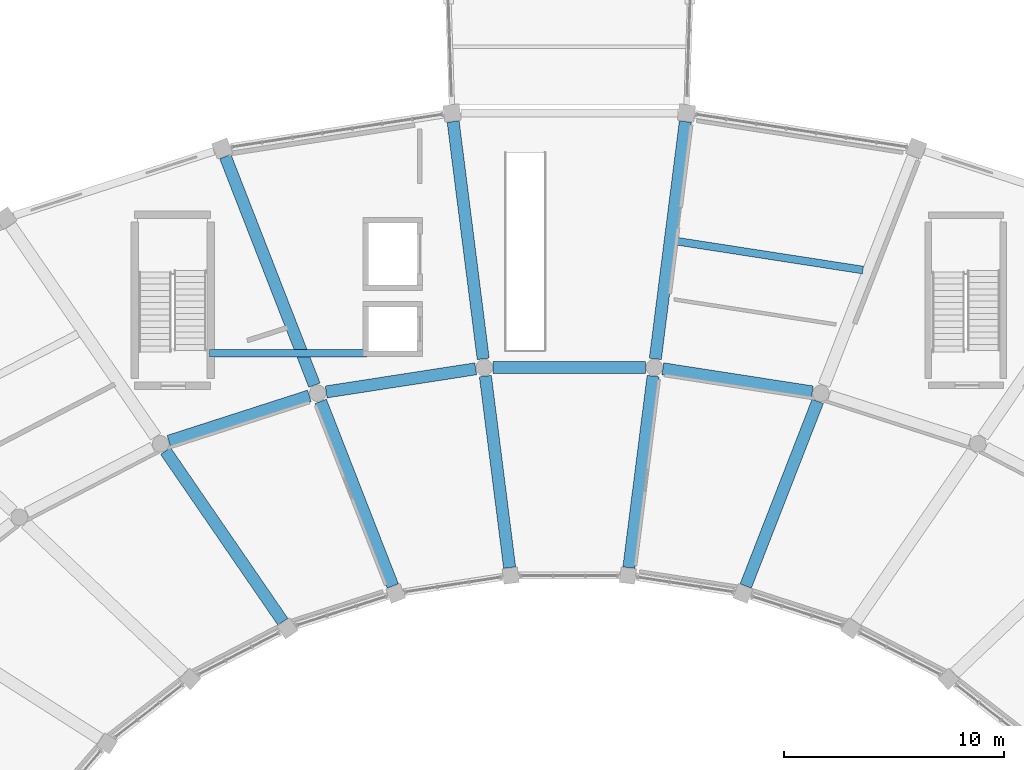
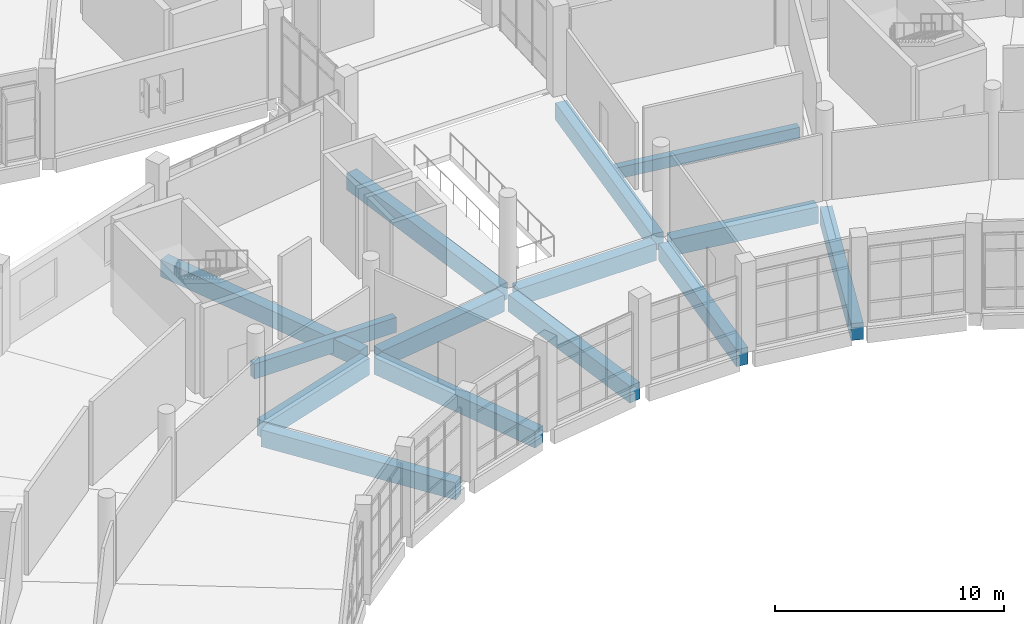
# One storey, part 28 of 179: 14 beams.
"""IFC4 building model written with IfcOpenShell, lengths in metres."""

from ifc_helpers import new_model, si_unit, direction, frame, origin, origin_2d, place, context, subcontext, project, spatial, rectangle, extrude, material, material_profile, profile_set, type_object, element, save


model = new_model("IFC4")

# Units and contexts
model_context = context("Model", 3, precision=1e-05, world=origin(), true_north=direction((0.0, 1.0)))
body_context = subcontext(model_context, "Body", "Model", "MODEL_VIEW")
ifc_project = project(units=[si_unit("LENGTHUNIT", "METRE"), si_unit("AREAUNIT", "SQUARE_METRE"), si_unit("VOLUMEUNIT", "CUBIC_METRE"), si_unit("PLANEANGLEUNIT", "RADIAN"), si_unit("MASSUNIT", "GRAM", prefix="KILO")], contexts=[model_context])

# Site, building, storey
site_placement = place(None, origin())
site = spatial("IfcSite", under=ifc_project, at=site_placement, CompositionType="ELEMENT")
building_placement = place(site_placement, origin())
building = spatial("IfcBuilding", under=site, at=building_placement, Name="Corvandel Quay Wholesale Market", CompositionType="ELEMENT")
storey_placement = place(building_placement, frame((0.0, 0.0, 6.0)))
storey = spatial("IfcBuildingStorey", under=building, at=storey_placement, Name="L01", CompositionType="ELEMENT", Elevation=6.0)

# Beams
ifc_material_1 = material(Name="Concrete C40/50", Category="concrete")
ifc_material_profile_1 = material_profile(ifc_material_1, rectangle(XDim=0.35009765625, YDim=0.800048828125, at=origin_2d()), Name="RC-CPL-350x800")
ifc_profile_set_1 = profile_set([ifc_material_profile_1], Name="Concrete C40/50")
beam_type_1 = type_object("IfcBeamType", Name="Core Shear Wall Coupling Beam CP01 350x800", PredefinedType="BEAM", material=ifc_profile_set_1)
beam_1_placement = place(storey_placement, frame((97.675048828125, 73.10009765625, -0.64990234375), z_axis=(1.0, 0.0, 0.0), x_axis=(0.0, 1.0, 0.0)))
element("IfcBeam", 1, at=beam_1_placement, inside=storey, type_object=beam_type_1, Name="Core Coupling Beam K1-L01", PredefinedType="BEAM", context=body_context, shape_type="SweptSolid", body=[
    extrude(rectangle(XDim=0.35009765625, YDim=0.800048828125, at=origin_2d()), origin(), (0.0, 0.0, 1.0), 7.14990234375),
])
ifc_material_2 = material(Name="Precast concrete C45/55", Category="concrete")
ifc_material_profile_2 = material_profile(ifc_material_2, rectangle(XDim=0.550048828125, YDim=0.89990234375, at=origin_2d()), Name="PC-GIR-550x900")
ifc_profile_set_2 = profile_set([ifc_material_profile_2], Name="Precast concrete C45/55")
beam_type_2 = type_object("IfcBeamType", Name="Produce Hall Radial Girder G03 550x900", PredefinedType="USERDEFINED", material=ifc_profile_set_2)
beam_2_placement = place(storey_placement, frame((125.029541015625, 71.34033203125, -0.75), z_axis=(-0.988245531799, 0.152875010642, 0.0), x_axis=(-0.152875010642, -0.988245531799, 0.0)))
element("IfcBeam", 2, at=beam_2_placement, inside=storey, type_object=beam_type_2, Name="Beam BM-0079", ObjectType="GIRDER", PredefinedType="USERDEFINED", context=body_context, shape_type="SweptSolid", body=[
    extrude(rectangle(XDim=0.550048828125, YDim=0.89990234375, at=origin_2d()), origin(), (0.0, 0.0, 1.0), 6.86376953125),
])
beam_3_placement = place(storey_placement, frame((125.276611328125, 70.912109375, -0.72998046875), z_axis=(-0.363350462898, -0.931652532392, 0.0), x_axis=(0.931652532392, -0.363350462898, 0.0)))
element("IfcBeam", 3, at=beam_3_placement, inside=storey, type_object=beam_type_2, Name="Beam BM-0083", ObjectType="GIRDER", PredefinedType="USERDEFINED", context=body_context, shape_type="SweptSolid", body=[
    extrude(rectangle(XDim=0.550048828125, YDim=0.89990234375, at=origin_2d()), origin(), (0.0, 0.0, 1.0), 8.98876953125),
])
beam_4_placement = place(storey_placement, frame((117.4609375, 72.449951171875, -0.75), z_axis=(-1.0, 0.0, 0.0), x_axis=(0.0, -1.0, 0.0)))
element("IfcBeam", 4, at=beam_4_placement, inside=storey, type_object=beam_type_2, Name="Beam BM-0092", ObjectType="GIRDER", PredefinedType="USERDEFINED", context=body_context, shape_type="SweptSolid", body=[
    extrude(rectangle(XDim=0.550048828125, YDim=0.89990234375, at=origin_2d()), origin(), (0.0, 0.0, 1.0), 6.921875),
])
beam_5_placement = place(storey_placement, frame((119.269287109375, 83.608154296875, -0.75), z_axis=(-0.125665389499, -0.99207268377, 0.0), x_axis=(0.99207268377, -0.125665389499, 0.0)))
element("IfcBeam", 5, at=beam_5_placement, inside=storey, type_object=beam_type_2, Name="Beam BM-0093", ObjectType="GIRDER", PredefinedType="USERDEFINED", context=body_context, shape_type="SweptSolid", body=[
    extrude(rectangle(XDim=0.550048828125, YDim=0.89990234375, at=origin_2d()), origin(), (0.0, 0.0, 1.0), 10.852294921875),
])
beam_6_placement = place(storey_placement, frame((117.806396484375, 72.05810546875, -0.72998046875), z_axis=(-0.125660390645, -0.992073316959, 0.0), x_axis=(0.992073316959, -0.125660390645, 0.0)))
element("IfcBeam", 6, at=beam_6_placement, inside=storey, type_object=beam_type_2, Name="Beam BM-0095", ObjectType="GIRDER", PredefinedType="USERDEFINED", context=body_context, shape_type="SweptSolid", body=[
    extrude(rectangle(XDim=0.550048828125, YDim=0.89990234375, at=origin_2d()), origin(), (0.0, 0.0, 1.0), 8.76025390625),
])
beam_7_placement = place(storey_placement, frame((109.753662109375, 72.3896484375, -0.75), z_axis=(-0.988245531799, -0.152875010642, 0.0), x_axis=(0.152875010642, -0.988245531799, 0.0)))
element("IfcBeam", 7, at=beam_7_placement, inside=storey, type_object=beam_type_2, Name="Beam BM-0104", ObjectType="GIRDER", PredefinedType="USERDEFINED", context=body_context, shape_type="SweptSolid", body=[
    extrude(rectangle(XDim=0.550048828125, YDim=0.89990234375, at=origin_2d()), origin(), (0.0, 0.0, 1.0), 6.86376953125),
])
beam_8_placement = place(storey_placement, frame((108.730712890625, 83.608154296875, -0.75), z_axis=(0.125665389499, -0.99207268377, 0.0), x_axis=(0.99207268377, 0.125665389499, 0.0)))
element("IfcBeam", 8, at=beam_8_placement, inside=storey, type_object=beam_type_2, Name="Beam BM-0105", ObjectType="GIRDER", PredefinedType="USERDEFINED", context=body_context, shape_type="SweptSolid", body=[
    extrude(rectangle(XDim=0.550048828125, YDim=0.89990234375, at=origin_2d()), origin(), (0.0, 0.0, 1.0), 10.852294921875),
])
beam_9_placement = place(storey_placement, frame((110.193603515625, 72.05810546875, -0.72998046875), z_axis=(0.125660390645, -0.992073316959, 0.0), x_axis=(0.992073316959, 0.125660390645, 0.0)))
element("IfcBeam", 9, at=beam_9_placement, inside=storey, type_object=beam_type_2, Name="Beam BM-0107", ObjectType="GIRDER", PredefinedType="USERDEFINED", context=body_context, shape_type="SweptSolid", body=[
    extrude(rectangle(XDim=0.550048828125, YDim=0.89990234375, at=origin_2d()), origin(), (0.0, 0.0, 1.0), 8.76025390625),
])
beam_10_placement = place(storey_placement, frame((102.2041015625, 71.15869140625, -0.75), z_axis=(-0.951797597933, -0.306726804453, 0.0), x_axis=(0.306726804453, -0.951797597933, 0.0)))
element("IfcBeam", 10, at=beam_10_placement, inside=storey, type_object=beam_type_2, Name="Beam BM-0116", ObjectType="GIRDER", PredefinedType="USERDEFINED", context=body_context, shape_type="SweptSolid", body=[
    extrude(rectangle(XDim=0.550048828125, YDim=0.89990234375, at=origin_2d()), origin(), (0.0, 0.0, 1.0), 6.69482421875),
])
beam_11_placement = place(storey_placement, frame((98.392578125, 82.01806640625, -0.75), z_axis=(0.363314053574, -0.931666731442, 0.0), x_axis=(0.931666731442, 0.363314053574, 0.0)))
element("IfcBeam", 11, at=beam_11_placement, inside=storey, type_object=beam_type_2, Name="Beam BM-0117", ObjectType="GIRDER", PredefinedType="USERDEFINED", context=body_context, shape_type="SweptSolid", body=[
    extrude(rectangle(XDim=0.550048828125, YDim=0.89990234375, at=origin_2d()), origin(), (0.0, 0.0, 1.0), 11.130615234375),
])
beam_12_placement = place(storey_placement, frame((102.723388671875, 70.912109375, -0.72998046875), z_axis=(0.363350462898, -0.931652532392, 0.0), x_axis=(0.931652532392, 0.363350462898, 0.0)))
element("IfcBeam", 12, at=beam_12_placement, inside=storey, type_object=beam_type_2, Name="Beam BM-0119", ObjectType="GIRDER", PredefinedType="USERDEFINED", context=body_context, shape_type="SweptSolid", body=[
    extrude(rectangle(XDim=0.550048828125, YDim=0.89990234375, at=origin_2d()), origin(), (0.0, 0.0, 1.0), 8.98876953125),
])
beam_13_placement = place(storey_placement, frame((95.6796875, 68.658447265625, -0.72998046875), z_axis=(0.566385457801, -0.824140469333, 0.0), x_axis=(0.824140469333, 0.566385457801, 0.0)))
element("IfcBeam", 13, at=beam_13_placement, inside=storey, type_object=beam_type_2, Name="Beam BM-0132", ObjectType="GIRDER", PredefinedType="USERDEFINED", context=body_context, shape_type="SweptSolid", body=[
    extrude(rectangle(XDim=0.550048828125, YDim=0.89990234375, at=origin_2d()), origin(), (0.0, 0.0, 1.0), 9.39599609375),
])
ifc_material_profile_3 = material_profile(ifc_material_2, rectangle(XDim=0.35009765625, YDim=0.60009765625, at=origin_2d()), Name="PC-BM-350x600")
ifc_profile_set_3 = profile_set([ifc_material_profile_3], Name="Precast concrete C45/55")
beam_type_3 = type_object("IfcBeamType", Name="Trading Gallery Secondary Beam B02 350x600", PredefinedType="BEAM", material=ifc_profile_set_3)
beam_14_placement = place(storey_placement, frame((127.323486328125, 76.87353515625, -0.60009765625), z_axis=(-0.988242977198, 0.152891523698, 0.0), x_axis=(-0.152891523698, -0.988242977198, 0.0)))
element("IfcBeam", 14, at=beam_14_placement, inside=storey, type_object=beam_type_3, Name="Beam BM-0081", PredefinedType="BEAM", context=body_context, shape_type="SweptSolid", body=[
    extrude(rectangle(XDim=0.35009765625, YDim=0.60009765625, at=origin_2d()), origin(), (0.0, 0.0, 1.0), 8.574951171875),
])

save(model, "model.ifc")
